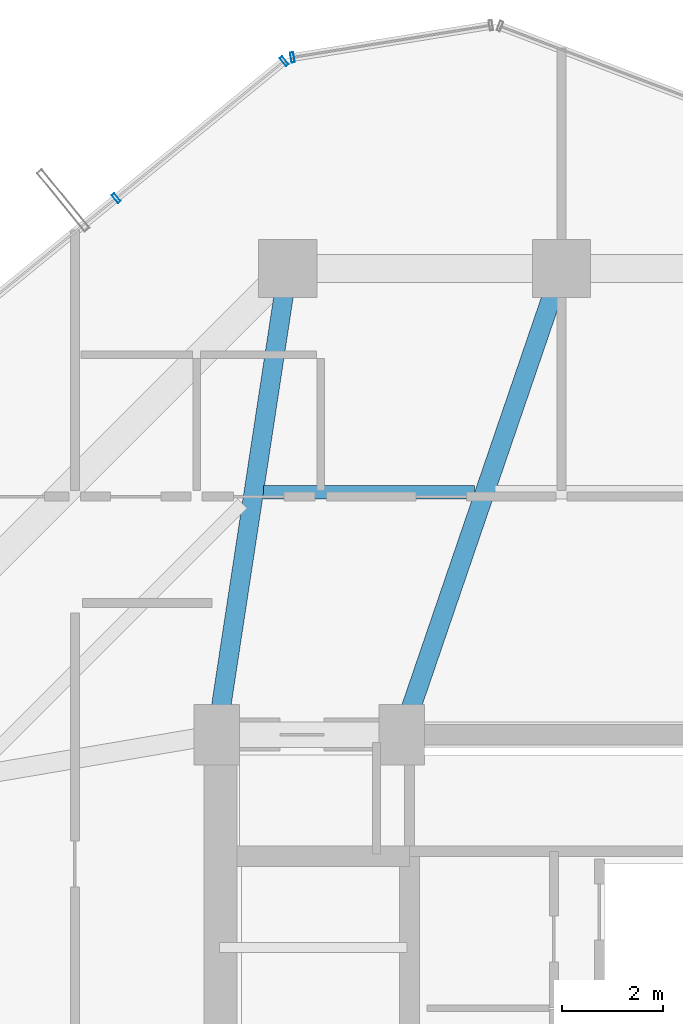
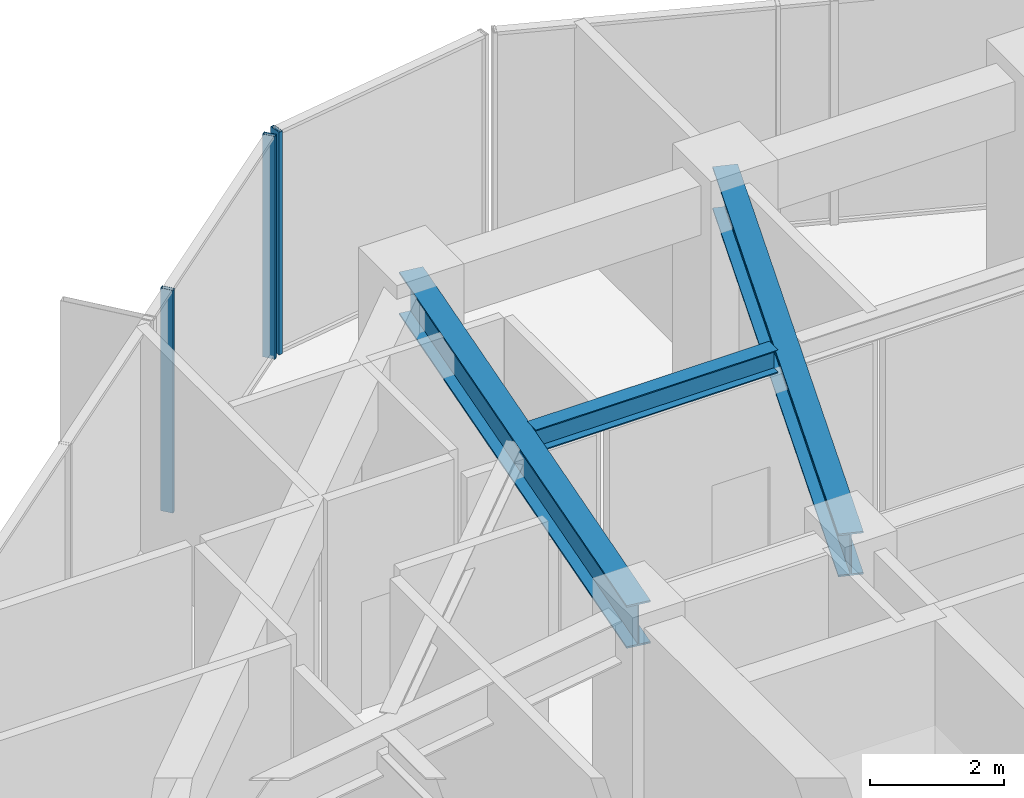
# One storey, part 16 of 26: 3 beams, 3 members, 2 elements without a shape of their own.
"""IFC4 building model written with IfcOpenShell, lengths in metres."""

from ifc_helpers import new_model, si_unit, direction, frame, origin, origin_2d, place, context, subcontext, project, spatial, hollow_rectangle, i_section, extrude, source, transform, mapped, material, layer, layer_set, material_profile, profile_set, type_object, element, aggregate, save


model = new_model("IFC4")

# Units and contexts
model_context = context("Model", 3, precision=1e-05, world=origin(), true_north=direction((0.0, 1.0)))
body_context = subcontext(model_context, "Body", "Model", "MODEL_VIEW")
ifc_project = project(units=[si_unit("LENGTHUNIT", "METRE"), si_unit("AREAUNIT", "SQUARE_METRE"), si_unit("VOLUMEUNIT", "CUBIC_METRE"), si_unit("PLANEANGLEUNIT", "RADIAN"), si_unit("MASSUNIT", "GRAM", prefix="KILO")], contexts=[model_context])

# Site, building, storey
site_placement = place(None, origin())
site = spatial("IfcSite", under=ifc_project, at=site_placement, CompositionType="ELEMENT")
building_placement = place(site_placement, origin())
building = spatial("IfcBuilding", under=site, at=building_placement, Name="Veraguas Prism Commons", CompositionType="ELEMENT")
storey_placement = place(building_placement, frame((0.0, 0.0, 158.75)))
storey = spatial("IfcBuildingStorey", under=building, at=storey_placement, Name="L45", CompositionType="ELEMENT", Elevation=158.75)

# Beams
ifc_material_1 = material(Name="Steel ASTM A992 Grade 50", Category="steel")
ifc_material_profile_1 = material_profile(ifc_material_1, i_section(OverallWidth=0.382080078125, OverallDepth=0.779052734375, WebThickness=0.01806640625, FlangeThickness=0.030029296875, at=origin_2d()), Name="W760X284")
ifc_profile_set_1 = profile_set([ifc_material_profile_1], Name="Steel ASTM A992 Grade 50")
beam_type_1 = type_object("IfcBeamType", Name="Assembly Primary Girder W760x284", PredefinedType="BEAM", material=ifc_profile_set_1)
beam_1_placement = place(storey_placement, frame((24.0, 40.199951171875, 3.660400390625), z_axis=(-0.323922482989, -0.946083624747, 0.0), x_axis=(0.946083624747, -0.323922482989, 0.0)))
element("IfcBeam", 1, at=beam_1_placement, inside=storey, type_object=beam_type_1, Name="Radial Floor Girder L45-RD05", PredefinedType="BEAM", context=body_context, shape_type="SweptSolid", body=[
    extrude(i_section(OverallWidth=0.382080078125, OverallDepth=0.779052734375, WebThickness=0.01806640625, FlangeThickness=0.030029296875, at=origin_2d()), origin(), (0.0, 0.0, 1.0), 9.724365234375),
])
beam_2_placement = place(storey_placement, frame((18.60009765625, 40.199951171875, 3.660400390625), z_axis=(-0.150458162136, -0.98861637729, 0.0), x_axis=(0.98861637729, -0.150458162136, 0.0)))
element("IfcBeam", 2, at=beam_2_placement, inside=storey, type_object=beam_type_1, Name="Radial Floor Girder L45-RD06", PredefinedType="BEAM", context=body_context, shape_type="SweptSolid", body=[
    extrude(i_section(OverallWidth=0.382080078125, OverallDepth=0.779052734375, WebThickness=0.01806640625, FlangeThickness=0.030029296875, at=origin_2d()), origin(), (0.0, 0.0, 1.0), 9.305908203125),
])
ifc_material_profile_2 = material_profile(ifc_material_1, i_section(OverallWidth=0.260986328125, OverallDepth=0.419921875, WebThickness=0.01171875, FlangeThickness=0.019287109375, at=origin_2d()), Name="W410X114")
ifc_profile_set_2 = profile_set([ifc_material_profile_2], Name="Steel ASTM A992 Grade 50")
beam_type_2 = type_object("IfcBeamType", Name="Lower Floor Joist W410x114", PredefinedType="JOIST", material=ifc_profile_set_2)
beam_3_placement = place(storey_placement, frame((22.2880859375, 35.783935546875, 3.840087890625), z_axis=(-1.0, 0.0, 0.0), x_axis=(0.0, -1.0, 0.0)))
element("IfcBeam", 3, at=beam_3_placement, inside=storey, type_object=beam_type_2, Name="Composite Floor Joist L45-JS05", PredefinedType="JOIST", context=body_context, shape_type="SweptSolid", body=[
    extrude(i_section(OverallWidth=0.260986328125, OverallDepth=0.419921875, WebThickness=0.01171875, FlangeThickness=0.019287109375, at=origin_2d()), origin(), (0.0, 0.0, 1.0), 4.1689453125),
])

# Curtain wall, members
ifc_material_2 = material(Name="Anodised aluminium EN AW-6063 T6", Category="aluminium")
ifc_layer = layer(ifc_material_2, 0.199951171875, Name="Sky Lobby and Pool Acoustic Curtain Wall", Category="aluminium")
ifc_layer_set = layer_set([ifc_layer], Name="Anodised aluminium EN AW-6063 T6")
curtain_wall_type = type_object("IfcCurtainWallType", Name="Sky Lobby and Pool Acoustic Curtain Wall", PredefinedType="NOTDEFINED", material=ifc_layer_set)
curtain_wall_1_placement = place(storey_placement, origin())
curtain_wall_1 = element("IfcCurtainWall", 4, at=curtain_wall_1_placement, inside=storey, type_object=curtain_wall_type, Name="Tower Facade Curtain Wall L45-F2", PredefinedType="NOTDEFINED")
ifc_material_profile_3 = material_profile(ifc_material_2, hollow_rectangle(XDim=0.06494140625, YDim=0.199951171875, WallThickness=0.00390625, at=origin_2d()), Name="AL65X200X4")
ifc_profile_set_3 = profile_set([ifc_material_profile_3], Name="Anodised aluminium EN AW-6063 T6")
member_type = type_object("IfcMemberType", Name="Curtain Wall Mullion Heavy AL 65x200x4", PredefinedType="MULLION", material=ifc_profile_set_3)
shared_shape = source(origin(), body_context, "Body", "SweptSolid", [
    extrude(hollow_rectangle(XDim=0.06494140625, YDim=0.199951171875, WallThickness=0.00390625, at=origin_2d()), origin(), (0.0, 0.0, 1.0), 4.050048828125),
])
member_1_placement = place(storey_placement, frame((18.52880859375, 44.291259765625, 0.0), z_axis=(0.0, 0.0, 1.0), x_axis=(-0.774943385604, -0.632030655197, 0.0)))
member_1 = element("IfcMember", 5, at=member_1_placement, type_object=member_type, Name="CW-SKY Mullion 1", PredefinedType="MULLION", context=body_context, shape_type="MappedRepresentation", body=[
    mapped(shared_shape, transform((0.0, 0.0, 0.0), scale=1.0)),
])
member_2_placement = place(storey_placement, frame((15.215087890625, 41.588623046875, 0.0), z_axis=(0.0, 0.0, 1.0), x_axis=(-0.774943385604, -0.632030655197, 0.0)))
member_2 = element("IfcMember", 6, at=member_2_placement, type_object=member_type, Name="CW-SKY Mullion 2", PredefinedType="MULLION", context=body_context, shape_type="MappedRepresentation", body=[
    mapped(shared_shape, transform((0.0, 0.0, 0.0), scale=1.0)),
])
aggregate(curtain_wall_1, [member_1, member_2])

# Curtain wall, member
curtain_wall_2_placement = place(storey_placement, origin())
curtain_wall_2 = element("IfcCurtainWall", 7, at=curtain_wall_2_placement, inside=storey, type_object=curtain_wall_type, Name="Chamfer Curtain Wall L45-C2", PredefinedType="NOTDEFINED")
member_3_placement = place(storey_placement, frame((18.69189453125, 44.364501953125, 0.0), z_axis=(0.0, 0.0, 1.0), x_axis=(-0.98713738123, -0.159874296177, 0.0)))
member_3 = element("IfcMember", 8, at=member_3_placement, type_object=member_type, Name="CW-SKY Mullion 2", PredefinedType="MULLION", context=body_context, shape_type="MappedRepresentation", body=[
    mapped(shared_shape, transform((0.0, 0.0, 0.0), scale=1.0)),
])
aggregate(curtain_wall_2, [member_3])

save(model, "model.ifc")
